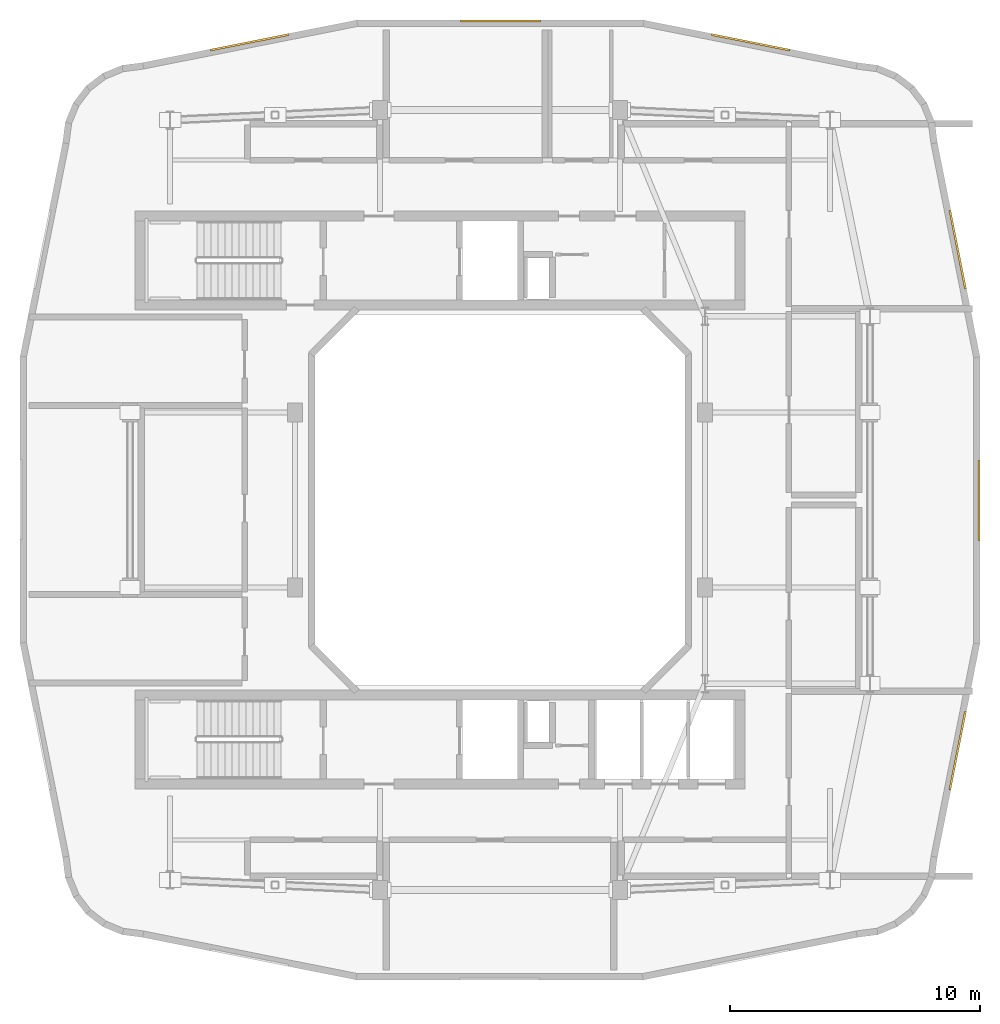
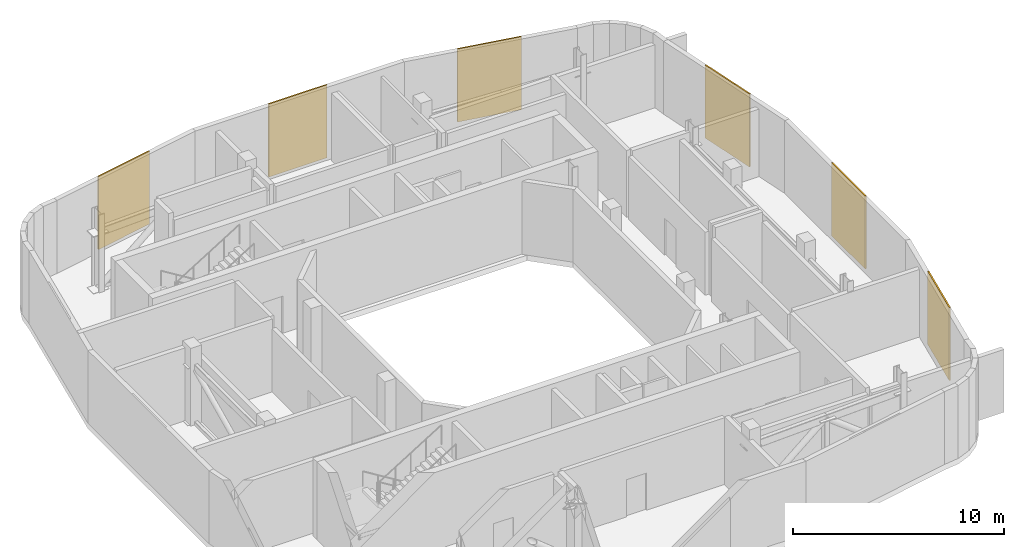
# One storey, part 9 of 9: 6 coverings.
"""IFC4 building model written with IfcOpenShell, lengths in metres."""

import ifcopenshell
import ifcopenshell.guid

model = None  # the IFC model being written
_history = None  # IfcOwnerHistory: only IFC2X3 demands one
_inside = {}  # id of a spatial element -> (the spatial element, [elements in it])
_under = {}  # id of a project, library or spatial element -> (it, [spatial elements below it])
_declared = {}  # id of a project -> (the project, [libraries it declares])
_typed = {}  # id of a type object -> (the type object, [elements of that type])
_made_of = {}  # id of a material, layer set ... -> (it, [elements and type objects made of it])


def new_model(schema):
    """Start an empty IFC model of exactly this schema.

    Asked for "IFC4X3", IfcOpenShell would pick the latest addendum, in which some entities
    have other attributes; the version numbers below select the first issue.
    IFC2X3 requires an IfcOwnerHistory on every rooted entity: one is made here for all.
    """
    global model, _history
    if schema == "IFC4X3":
        model = ifcopenshell.file(schema_version=(4, 3, 0, 0))
    else:
        model = ifcopenshell.file(schema=schema)
    _inside.clear()
    _under.clear()
    _declared.clear()
    _typed.clear()
    _made_of.clear()
    _history = None
    if model.schema == "IFC2X3":
        org = make("IfcOrganization", Name="unknown")
        user = make(
            "IfcPersonAndOrganization",
            ThePerson=make("IfcPerson", FamilyName="unknown"),
            TheOrganization=org,
        )
        app = make(
            "IfcApplication",
            ApplicationDeveloper=org,
            Version="unknown",
            ApplicationFullName="unknown",
            ApplicationIdentifier="unknown",
        )
        _history = make(
            "IfcOwnerHistory",
            OwningUser=user,
            OwningApplication=app,
            ChangeAction="ADDED",
            CreationDate=0,
        )
    return model


def make(cls, **values):
    """One entity of the class cls with the attributes given. An attribute that is None is left unset."""
    return model.create_entity(
        cls, **{name: value for name, value in values.items() if value is not None}
    )


def rooted(cls, **values):
    """An entity with a GlobalId (a new one), such as an element, a storey or a relation."""
    return make(cls, GlobalId=ifcopenshell.guid.new(), OwnerHistory=_history, **values)


def si_unit(unit_type, name, prefix=None):
    """IfcSIUnit, for example si_unit("LENGTHUNIT", "METRE", prefix="MILLI")."""
    return make("IfcSIUnit", UnitType=unit_type, Prefix=prefix, Name=name)


def derived_unit(unit_type, elements):
    """IfcDerivedUnit: a product of units, each with its exponent."""
    return make(
        "IfcDerivedUnit",
        Elements=[
            make("IfcDerivedUnitElement", Unit=unit, Exponent=power)
            for unit, power in elements
        ],
        UnitType=unit_type,
    )


def assignment(units):
    """IfcUnitAssignment: the units of a project."""
    return None if units is None else make("IfcUnitAssignment", Units=units)


def point(xyz):
    """IfcCartesianPoint."""
    return None if xyz is None else make("IfcCartesianPoint", Coordinates=xyz)


def direction(xyz):
    """IfcDirection."""
    return None if xyz is None else make("IfcDirection", DirectionRatios=xyz)


def frame(location, z_axis=None, x_axis=None):
    """IfcAxis2Placement3D, a coordinate frame: its origin and axes. An axis left out is left unset."""
    return make(
        "IfcAxis2Placement3D",
        Location=point(location),
        Axis=direction(z_axis),
        RefDirection=direction(x_axis),
    )


def frame_2d(location, x_axis=None):
    """IfcAxis2Placement2D, a coordinate frame in the plane: its origin and x axis."""
    return make(
        "IfcAxis2Placement2D", Location=point(location), RefDirection=direction(x_axis)
    )


def origin():
    """The frame at (0, 0, 0) with its axes left unset."""
    return frame((0.0, 0.0, 0.0))


def origin_2d():
    """The frame at (0, 0) in the plane with its x axis left unset."""
    return frame_2d((0.0, 0.0))


def place(relative_to, where):
    """IfcLocalPlacement: puts the frame where relative to a parent placement (None: the world)."""
    return make(
        "IfcLocalPlacement", PlacementRelTo=relative_to, RelativePlacement=where
    )


def context(
    kind, dimensions, precision=None, world=None, true_north=None, identifier=None
):
    """IfcGeometricRepresentationContext, for example the 3D "Model" context."""
    return make(
        "IfcGeometricRepresentationContext",
        ContextIdentifier=identifier,
        ContextType=kind,
        CoordinateSpaceDimension=dimensions,
        Precision=precision,
        WorldCoordinateSystem=world,
        TrueNorth=true_north,
    )


def subcontext(parent, identifier, kind, view, scale=None):
    """IfcGeometricRepresentationSubContext, for example "Body" below "Model"."""
    return make(
        "IfcGeometricRepresentationSubContext",
        ContextIdentifier=identifier,
        ContextType=kind,
        ParentContext=parent,
        TargetScale=scale,
        TargetView=view,
    )


def project(units=None, contexts=None):
    """IfcProject with its units and contexts."""
    return rooted(
        "IfcProject",
        Name="project",
        RepresentationContexts=contexts,
        UnitsInContext=assignment(units),
    )


def spatial(cls, under=None, at=None, **own):
    """A site, building, storey or space (cls), placed at a placement, below another one or the project."""
    s = rooted(cls, ObjectPlacement=at, **own)
    if under is not None:
        _under.setdefault(under.id(), (under, []))[1].append(s)
    return s


def profile(cls, at=None, kind="AREA", **sizes):
    """A parametric profile (cls). Its sizes go by their IFC names, for example OverallWidth=200.0."""
    return make(cls, ProfileType=kind, Position=at, **sizes)


def rectangle(**sizes):
    """IfcRectangleProfileDef."""
    return profile("IfcRectangleProfileDef", **sizes)


def extrude(swept, where, along, depth):
    """IfcExtrudedAreaSolid: the profile swept, set in the frame where, extruded along a direction by depth."""
    return make(
        "IfcExtrudedAreaSolid",
        SweptArea=swept,
        Position=where,
        ExtrudedDirection=direction(along),
        Depth=depth,
    )


def shape(context_of_items, identifier, shape_type, items):
    """IfcShapeRepresentation: the items that make up one representation, for example the "Body"."""
    return make(
        "IfcShapeRepresentation",
        ContextOfItems=context_of_items,
        RepresentationIdentifier=identifier,
        RepresentationType=shape_type,
        Items=items,
    )


def material(Name=None, Category=None):
    """IfcMaterial."""
    return make("IfcMaterial", Name=Name, Category=Category)


def layer(
    of_material, thickness, ventilated=None, Name=None, Category=None, Priority=None
):
    """IfcMaterialLayer: one layer of a wall or slab, of a material (None: an air gap)."""
    return make(
        "IfcMaterialLayer",
        Material=of_material,
        LayerThickness=thickness,
        IsVentilated=ventilated,
        Name=Name,
        Category=Category,
        Priority=Priority,
    )


def layer_set(layers, Name=None):
    """IfcMaterialLayerSet."""
    return make("IfcMaterialLayerSet", MaterialLayers=layers, LayerSetName=Name)


def made_of(thing, what):
    """Note that an element or type object is made of a material, layer set ...; save() writes the relation."""
    if what is not None:
        _made_of.setdefault(what.id(), (what, []))[1].append(thing)
    return thing


def type_object(cls, material=None, **own):
    """A type object (cls), such as IfcWallType, which elements share."""
    return made_of(rooted(cls, **own), material)


def element(
    cls,
    number,
    at=None,
    inside=None,
    cuts=None,
    type_object=None,
    material=None,
    context=None,
    identifier="Body",
    shape_type=None,
    held_by="IfcProductDefinitionShape",
    body=None,
    shapes=None,
    **own,
):
    """One element of the class cls, such as IfcWall. Its Tag is "e" and its number.

    at: its placement. inside: the storey or other place that contains it. cuts: it is an
    opening in that element (IfcRelVoidsElement). A single representation is given by context,
    identifier, shape_type and body (its items); several are given by shapes. held_by: the class
    of the entity that holds the representations. save() writes the other relations.
    """
    e = rooted(cls, Tag="e%d" % number, ObjectPlacement=at, **own)
    if body is not None:
        shapes = [shape(context, identifier, shape_type, body)]
    if shapes is not None:
        e.Representation = make(held_by, Representations=shapes)
    if inside is not None:
        _inside.setdefault(inside.id(), (inside, []))[1].append(e)
    if cuts is not None:
        rooted(
            "IfcRelVoidsElement", RelatingBuildingElement=cuts, RelatedOpeningElement=e
        )
    if type_object is not None:
        _typed.setdefault(type_object.id(), (type_object, []))[1].append(e)
    return made_of(e, material)


def aggregate(whole, parts):
    """IfcRelAggregates: a whole, such as a stair, and the parts it consists of."""
    return rooted("IfcRelAggregates", RelatingObject=whole, RelatedObjects=parts)


def save(model, path):
    """Write the relations noted so far, then the file.

    IfcRelAggregates (storeys below a building ...), IfcRelContainedInSpatialStructure (elements
    in a storey), IfcRelDefinesByType, IfcRelAssociatesMaterial and IfcRelDeclares: one each for
    every whole, place, type object, material and project.
    """
    for whole, parts in _under.values():
        aggregate(whole, parts)
    for where, things in _inside.values():
        rooted(
            "IfcRelContainedInSpatialStructure",
            RelatedElements=things,
            RelatingStructure=where,
        )
    for kind, things in _typed.values():
        rooted("IfcRelDefinesByType", RelatedObjects=things, RelatingType=kind)
    for what, things in _made_of.values():
        rooted("IfcRelAssociatesMaterial", RelatedObjects=things, RelatingMaterial=what)
    for by, libraries in _declared.values():
        rooted("IfcRelDeclares", RelatingContext=by, RelatedDefinitions=libraries)
    model.write(path)


model = new_model("IFC4")

# Units and contexts
model_context = context("Model", 3, precision=1e-05, world=origin(), true_north=direction((0.0, 1.0)))
body_context = subcontext(model_context, "Body", "Model", "MODEL_VIEW")
ifc_project = project(units=[si_unit("LENGTHUNIT", "METRE"), si_unit("AREAUNIT", "SQUARE_METRE"), si_unit("VOLUMEUNIT", "CUBIC_METRE"), si_unit("PLANEANGLEUNIT", "RADIAN"), si_unit("MASSUNIT", "GRAM", prefix="KILO"), derived_unit("THERMALTRANSMITTANCEUNIT", [(si_unit("POWERUNIT", "WATT"), 1), (si_unit("LENGTHUNIT", "METRE"), -2), (si_unit("THERMODYNAMICTEMPERATUREUNIT", "KELVIN"), -1)])], contexts=[model_context])

# Site, building, storey
site_placement = place(None, origin())
site = spatial("IfcSite", under=ifc_project, at=site_placement, CompositionType="ELEMENT")
building_placement = place(site_placement, origin())
building = spatial("IfcBuilding", under=site, at=building_placement, Name="Kivonza Crest Hotel", CompositionType="ELEMENT")
storey_placement = place(building_placement, frame((0.0, 0.0, 238.699951171875)))
storey = spatial("IfcBuildingStorey", under=building, at=storey_placement, Name="L65", CompositionType="ELEMENT", Elevation=238.699951171875)

# Coverings
ifc_material = material(Name="Anodised bronze aluminium acoustic louvre cladding", Category="aluminium")
ifc_layer = layer(ifc_material, 0.080078125)
ifc_layer_set = layer_set([ifc_layer], Name="Anodised bronze aluminium acoustic louvre cladding")
covering_type = type_object("IfcCoveringType", Name="CV-CLAD-80", PredefinedType="CLADDING", material=ifc_layer_set)
for number, where, z_axis, x_axis, name in (
    (1, (39.30908203125, 14.968994140625, 0.0), (0.0, 0.0, 1.0), (0.195261498368, 0.980751215781, 0.0), "L65 T1 terracotta baguette and louvre screen 16"),
    (2, (40.159912109375, 24.98291015625, 0.0), (0.0, 0.0, 1.0), (0.0, 1.0, 0.0), "L65 T1 terracotta baguette and louvre screen 17"),
    (3, (39.31201171875, 35.013916015625, 0.0), (0.0, 0.0, 1.0), (-0.195261498368, 0.980751215781, 0.0), "L65 T1 terracotta baguette and louvre screen 18"),
    (4, (31.031005859375, 43.30908203125, 0.0), (0.0, 0.0, 1.0), (-0.980751215781, 0.195261498368, 0.0), "L65 T1 terracotta baguette and louvre screen 25"),
    (5, (21.01708984375, 44.159912109375, 0.0), (0.0, 0.0, 1.0), (-1.0, 0.0, 0.0), "L65 T1 terracotta baguette and louvre screen 26"),
    (6, (10.986083984375, 43.31201171875, 0.0), (0.0, 0.0, 1.0), (-0.980751215781, -0.195261498368, 0.0), "L65 T1 terracotta baguette and louvre screen 27"),
):
    element("IfcCovering", number, at=place(storey_placement, frame(where, z_axis=z_axis, x_axis=x_axis)), inside=storey, type_object=covering_type, Name=name, PredefinedType="CLADDING", context=body_context, shape_type="SweptSolid", body=[
        extrude(rectangle(XDim=3.199951171875, YDim=0.080078125, at=origin_2d()), origin(), (0.0, 0.0, 1.0), 4.219970703125),
    ])

save(model, "model.ifc")
